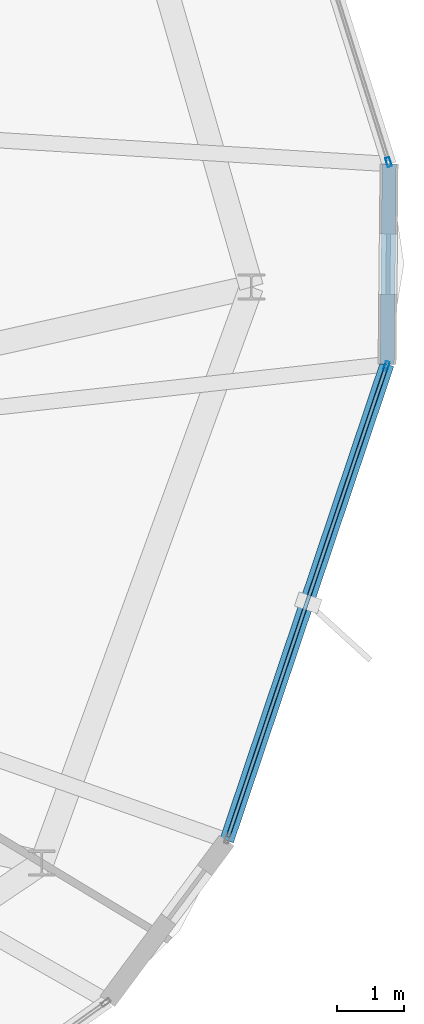
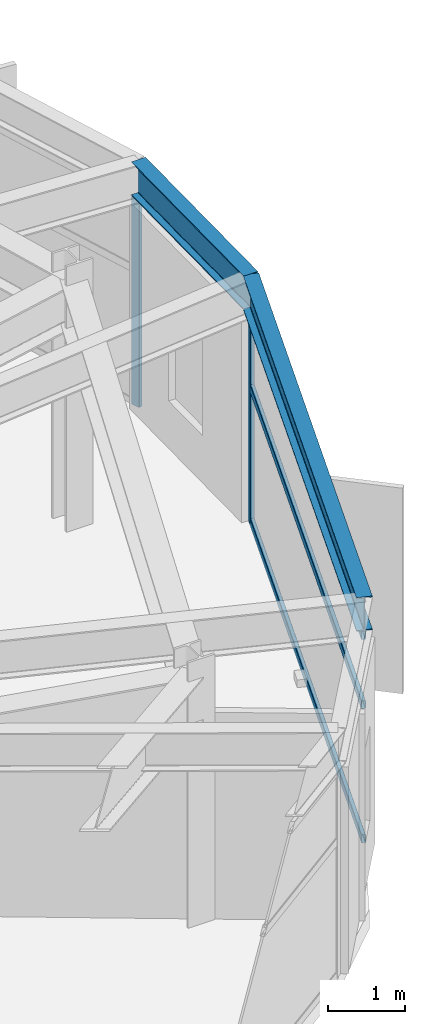
# One storey, part 11 of 19: 5 members, 2 beams, 2 elements without a shape of their own.
"""IFC4 building model written with IfcOpenShell, lengths in metres."""

from ifc_helpers import new_model, si_unit, direction, frame, origin, origin_2d, place, context, subcontext, project, spatial, hollow_rectangle, i_section, extrude, material, layer, layer_set, material_profile, profile_set, type_object, element, aggregate, save


model = new_model("IFC4")

# Units and contexts
model_context = context("Model", 3, precision=1e-05, world=origin(), true_north=direction((0.0, 1.0)))
body_context = subcontext(model_context, "Body", "Model", "MODEL_VIEW")
ifc_project = project(units=[si_unit("LENGTHUNIT", "METRE"), si_unit("AREAUNIT", "SQUARE_METRE"), si_unit("VOLUMEUNIT", "CUBIC_METRE"), si_unit("PLANEANGLEUNIT", "RADIAN"), si_unit("MASSUNIT", "GRAM", prefix="KILO")], contexts=[model_context])

# Site, building, storey
site_placement = place(None, origin())
site = spatial("IfcSite", under=ifc_project, at=site_placement, CompositionType="ELEMENT")
building_placement = place(site_placement, origin())
building = spatial("IfcBuilding", under=site, at=building_placement, Name="Soratama Intermodal Tower", CompositionType="ELEMENT")
storey_placement = place(building_placement, frame((0.0, 0.0, 297.25)))
storey = spatial("IfcBuildingStorey", under=building, at=storey_placement, Name="L75", CompositionType="ELEMENT", Elevation=297.25)

# Beams
ifc_material_1 = material(Name="Structural steel ASTM A992 Grade 50", Category="steel")
ifc_material_profile_1 = material_profile(ifc_material_1, i_section(OverallWidth=0.2099609375, OverallDepth=0.537109375, WebThickness=0.010986328125, FlangeThickness=0.017333984375, FilletRadius=0.012939453125, at=origin_2d()), Name="W21X68")
ifc_profile_set_1 = profile_set([ifc_material_profile_1], Name="Structural steel ASTM A992 Grade 50")
beam_type = type_object("IfcBeamType", Name="BM-SPN-W21X68", PredefinedType="SPANDREL", material=ifc_profile_set_1)
beam_1_placement = place(storey_placement, frame((56.325927734375, 16.282958984375, 3.62646484375), z_axis=(0.318959833009, 0.947768233761, 0.0), x_axis=(-0.947768233761, 0.318959833009, 0.0)))
element("IfcBeam", 1, at=beam_1_placement, inside=storey, type_object=beam_type, Name="BS-L75-F08", PredefinedType="SPANDREL", context=body_context, shape_type="SweptSolid", body=[
    extrude(i_section(OverallWidth=0.2099609375, OverallDepth=0.537109375, WebThickness=0.010986328125, FlangeThickness=0.017333984375, FilletRadius=0.012939453125, at=origin_2d()), origin(), (0.0, 0.0, 1.0), 7.44921875),
])
beam_2_placement = place(storey_placement, frame((58.701904296875, 23.343017578125, 3.62646484375), z_axis=(0.010452964155, 0.999945366278, 0.0), x_axis=(-0.999945366278, 0.010452964155, 0.0)))
element("IfcBeam", 2, at=beam_2_placement, inside=storey, type_object=beam_type, Name="BS-L75-CRN08", PredefinedType="SPANDREL", context=body_context, shape_type="SweptSolid", body=[
    extrude(i_section(OverallWidth=0.2099609375, OverallDepth=0.537109375, WebThickness=0.010986328125, FlangeThickness=0.017333984375, FilletRadius=0.012939453125, at=origin_2d()), origin(), (0.0, 0.0, 1.0), 2.96630859375),
])

# Curtain wall, member
ifc_material_2 = material(Name="Double-glazed aluminium curtain wall", Category="aluminium")
ifc_layer = layer(ifc_material_2, 0.159912109375)
ifc_layer_set = layer_set([ifc_layer], Name="Double-glazed aluminium curtain wall")
curtain_wall_type = type_object("IfcCurtainWallType", Name="CW-SYS-6", PredefinedType="NOTDEFINED", material=ifc_layer_set)
curtain_wall_1_placement = place(storey_placement, origin())
curtain_wall_1 = element("IfcCurtainWall", 3, at=curtain_wall_1_placement, inside=storey, type_object=curtain_wall_type, Name="L75 Faceted Curtain Wall F08", PredefinedType="NOTDEFINED")
ifc_material_3 = material(Name="Anodised aluminium AA 6063-T6", Category="aluminium")
ifc_material_profile_2 = material_profile(ifc_material_3, hollow_rectangle(XDim=0.06494140625, YDim=0.139892578125, WallThickness=0.0048828125, InnerFilletRadius=0.0048828125, OuterFilletRadius=0.010009765625, at=origin_2d()), Name="CWM140X65X5")
ifc_profile_set_2 = profile_set([ifc_material_profile_2], Name="Anodised aluminium AA 6063-T6")
member_type_1 = type_object("IfcMemberType", Name="MT-CWM-6", PredefinedType="MULLION", material=ifc_profile_set_2)
member_1_placement = place(storey_placement, frame((58.692138671875, 23.314453125, 0.0), z_axis=(0.0, 0.0, 1.0), x_axis=(-0.947767848125, 0.318960978899, 0.0)))
member_1 = element("IfcMember", 4, at=member_1_placement, type_object=member_type_1, Name="CW-6 mullion 2", PredefinedType="MULLION", context=body_context, shape_type="SweptSolid", body=[
    extrude(hollow_rectangle(XDim=0.06494140625, YDim=0.139892578125, WallThickness=0.0048828125, InnerFilletRadius=0.0048828125, OuterFilletRadius=0.010009765625, at=origin_2d()), origin(), (0.0, 0.0, 1.0), 3.27392578125),
])

curtain_wall_2_placement = place(storey_placement, origin())
curtain_wall_2 = element("IfcCurtainWall", 5, at=curtain_wall_2_placement, inside=storey, type_object=curtain_wall_type, Name="L75 Faceted Curtain Wall F09", PredefinedType="NOTDEFINED")
member_2_placement = place(storey_placement, frame((58.7236328125, 26.337890625, 0.0), z_axis=(0.0, 0.0, 1.0), x_axis=(-0.954240565679, -0.299040035469, 0.0)))
member_2 = element("IfcMember", 6, at=member_2_placement, type_object=member_type_1, Name="CW-6 mullion 1", PredefinedType="MULLION", context=body_context, shape_type="SweptSolid", body=[
    extrude(hollow_rectangle(XDim=0.06494140625, YDim=0.139892578125, WallThickness=0.0048828125, InnerFilletRadius=0.0048828125, OuterFilletRadius=0.010009765625, at=origin_2d()), origin(), (0.0, 0.0, 1.0), 3.27392578125),
])
aggregate(curtain_wall_2, [member_2])

# Member
ifc_material_4 = material(Name="Anodised aluminium AA 6063-T6", Category="aluminium")
ifc_material_profile_3 = material_profile(ifc_material_4, hollow_rectangle(XDim=0.06005859375, YDim=0.1298828125, WallThickness=0.0048828125, InnerFilletRadius=0.0048828125, OuterFilletRadius=0.010009765625, at=origin_2d()), Name="CWT130X60X5")
ifc_profile_set_3 = profile_set([ifc_material_profile_3], Name="Anodised aluminium AA 6063-T6")
member_type_2 = type_object("IfcMemberType", Name="TT-CWT-2", PredefinedType="USERDEFINED", material=ifc_profile_set_3)
member_3_placement = place(storey_placement, frame((56.3447265625, 16.339599609375, 0.030029296875), z_axis=(0.318954644878, 0.947769979747, 0.0), x_axis=(-0.947769979747, 0.318954644878, 0.0)))
member_3 = element("IfcMember", 7, at=member_3_placement, type_object=member_type_2, Name="CW-6 transom 1.1", ObjectType="TRANSOM", PredefinedType="USERDEFINED", context=body_context, shape_type="SweptSolid", body=[
    extrude(hollow_rectangle(XDim=0.06005859375, YDim=0.1298828125, WallThickness=0.0048828125, InnerFilletRadius=0.0048828125, OuterFilletRadius=0.010009765625, at=origin_2d()), origin(), (0.0, 0.0, 1.0), 7.3291015625),
])

member_4_placement = place(storey_placement, frame((56.3447265625, 16.339599609375, 2.14990234375), z_axis=(0.318954644878, 0.947769979747, 0.0), x_axis=(-0.947769979747, 0.318954644878, 0.0)))
member_4 = element("IfcMember", 8, at=member_4_placement, type_object=member_type_2, Name="CW-6 transom 1.2", ObjectType="TRANSOM", PredefinedType="USERDEFINED", context=body_context, shape_type="SweptSolid", body=[
    extrude(hollow_rectangle(XDim=0.06005859375, YDim=0.1298828125, WallThickness=0.0048828125, InnerFilletRadius=0.0048828125, OuterFilletRadius=0.010009765625, at=origin_2d()), origin(), (0.0, 0.0, 1.0), 7.3291015625),
])

member_5_placement = place(storey_placement, frame((56.3447265625, 16.339599609375, 3.243896484375), z_axis=(0.318954644878, 0.947769979747, 0.0), x_axis=(-0.947769979747, 0.318954644878, 0.0)))
member_5 = element("IfcMember", 9, at=member_5_placement, type_object=member_type_2, Name="CW-6 transom 1.3", ObjectType="TRANSOM", PredefinedType="USERDEFINED", context=body_context, shape_type="SweptSolid", body=[
    extrude(hollow_rectangle(XDim=0.06005859375, YDim=0.1298828125, WallThickness=0.0048828125, InnerFilletRadius=0.0048828125, OuterFilletRadius=0.010009765625, at=origin_2d()), origin(), (0.0, 0.0, 1.0), 7.3291015625),
])

aggregate(curtain_wall_1, [member_1, member_3, member_4, member_5])

save(model, "model.ifc")
